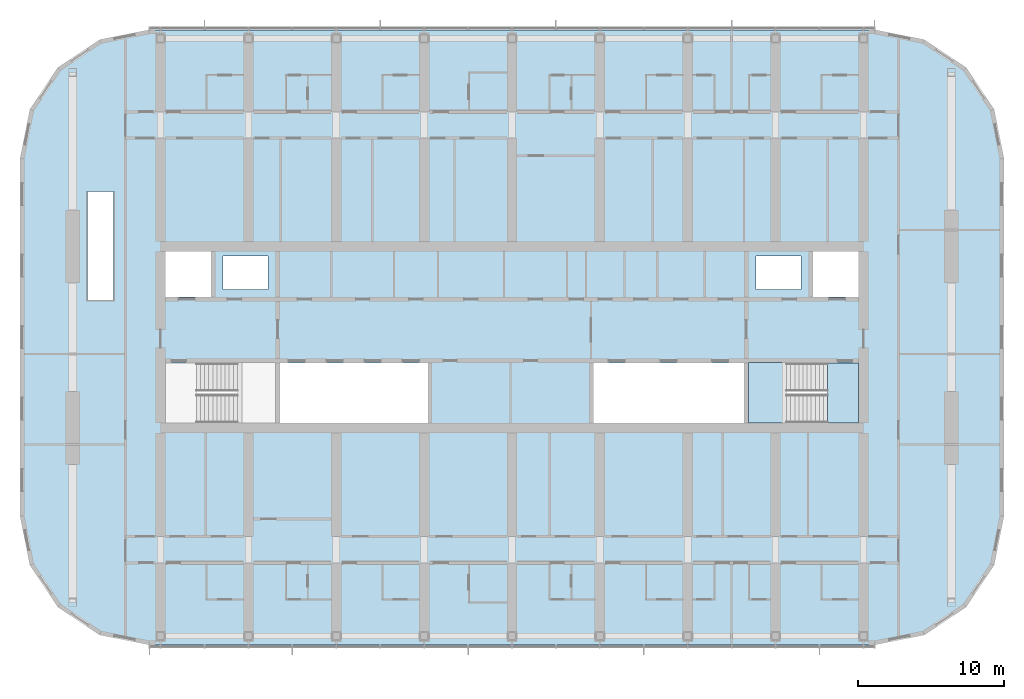
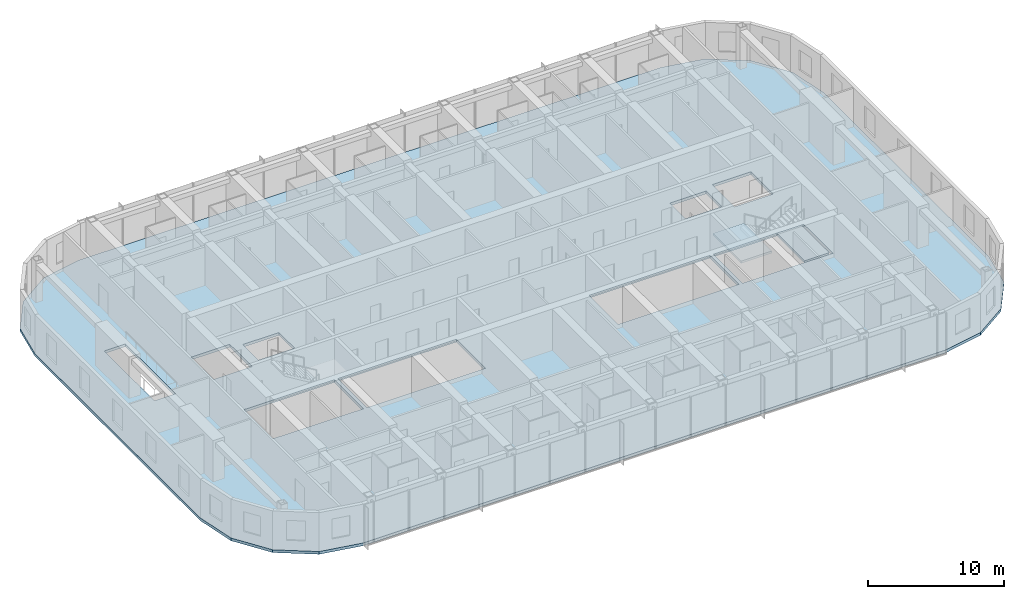
# One storey, part 8 of 23: 3 slabs, 1 element without a shape of its own.
"""IFC4 building model written with IfcOpenShell, lengths in metres."""

from ifc_helpers import new_model, si_unit, direction, frame, origin, place, context, subcontext, project, spatial, polyline, outline, extrude, material, layer, layer_set, type_object, element, aggregate, save


model = new_model("IFC4")

# Units and contexts
model_context = context("Model", 3, precision=1e-05, world=origin(), true_north=direction((0.0, 1.0)))
body_context = subcontext(model_context, "Body", "Model", "MODEL_VIEW")
ifc_project = project(units=[si_unit("LENGTHUNIT", "METRE"), si_unit("AREAUNIT", "SQUARE_METRE"), si_unit("VOLUMEUNIT", "CUBIC_METRE"), si_unit("PLANEANGLEUNIT", "RADIAN"), si_unit("MASSUNIT", "GRAM", prefix="KILO")], contexts=[model_context])

# Site, building, storey
site_placement = place(None, origin())
site = spatial("IfcSite", under=ifc_project, at=site_placement, CompositionType="ELEMENT")
building_placement = place(site_placement, origin())
building = spatial("IfcBuilding", under=site, at=building_placement, Name="Orbita Commons", CompositionType="ELEMENT")
storey_placement = place(building_placement, frame((0.0, 0.0, 220.300048828125)))
storey = spatial("IfcBuildingStorey", under=building, at=storey_placement, Name="L54", CompositionType="ELEMENT", Elevation=220.300048828125)

# Slab
ifc_material_1 = material(Name="Concrete C40/50", Category="concrete")
ifc_layer_1 = layer(ifc_material_1, 0.25)
ifc_layer_set_1 = layer_set([ifc_layer_1], Name="Concrete C40/50")
slab_type_1 = type_object("IfcSlabType", Name="Floor slab 250", PredefinedType="FLOOR", material=ifc_layer_set_1)
slab_1_placement = place(storey_placement, frame((0.0, 0.0, -0.25)))
element("IfcSlab", 1, at=slab_1_placement, inside=storey, type_object=slab_type_1, Name="Floor slab L54", PredefinedType="FLOOR", context=body_context, shape_type="SweptSolid", body=[
    extrude(outline(polyline([(66.800048828125, 11.0), (70.167724609375, 11.669921875), (73.0224609375, 13.577392578125), (74.93017578125, 16.432373046875), (75.60009765625, 19.800048828125), (75.60009765625, 44.199951171875), (74.93017578125, 47.567626953125), (73.0224609375, 50.422607421875), (70.167724609375, 52.330078125), (66.800048828125, 53.0), (17.199951171875, 53.0), (13.832275390625, 52.330078125), (10.9775390625, 50.422607421875), (9.06982421875, 47.567626953125), (8.39990234375, 44.199951171875), (8.39990234375, 19.800048828125), (9.06982421875, 16.432373046875), (10.9775390625, 13.577392578125), (13.832275390625, 11.669921875), (17.199951171875, 11.0), (66.800048828125, 11.0)]), holes=[polyline([(18.14990234375, 25.949951171875), (25.85009765625, 25.949951171875), (25.85009765625, 30.25), (18.14990234375, 30.25), (18.14990234375, 25.949951171875)]), polyline([(58.14990234375, 25.949951171875), (65.85009765625, 25.949951171875), (65.85009765625, 30.25), (58.14990234375, 30.25), (58.14990234375, 25.949951171875)]), polyline([(18.14990234375, 34.75), (21.449951171875, 34.75), (21.449951171875, 38.050048828125), (18.14990234375, 38.050048828125), (18.14990234375, 34.75)]), polyline([(62.550048828125, 34.75), (65.85009765625, 34.75), (65.85009765625, 38.050048828125), (62.550048828125, 38.050048828125), (62.550048828125, 34.75)]), polyline([(22.25, 35.25), (25.35009765625, 35.25), (25.35009765625, 37.550048828125), (22.25, 37.550048828125), (22.25, 35.25)]), polyline([(58.64990234375, 35.25), (61.75, 35.25), (61.75, 37.550048828125), (58.64990234375, 37.550048828125), (58.64990234375, 35.25)]), polyline([(26.14990234375, 25.949951171875), (36.25, 25.949951171875), (36.25, 30.25), (26.14990234375, 30.25), (26.14990234375, 25.949951171875)]), polyline([(47.550048828125, 25.949951171875), (57.85009765625, 25.949951171875), (57.85009765625, 30.25), (47.550048828125, 30.25), (47.550048828125, 25.949951171875)]), polyline([(13.0, 34.550048828125), (14.800048828125, 34.550048828125), (14.800048828125, 41.949951171875), (13.0, 41.949951171875), (13.0, 34.550048828125)])]), origin(), (0.0, 0.0, 1.0), 0.25),
])

# Stair, slabs
ifc_material_2 = material(Name="Precast concrete C40/50", Category="concrete")
stair_type = type_object("IfcStairType", Name="Exit stair S2 2 flights 11 risers 170", PredefinedType="HALF_TURN_STAIR", material=ifc_material_2)
stair_placement = place(storey_placement, origin())
stair = element("IfcStair", 2, at=stair_placement, inside=storey, type_object=stair_type, Name="Exit stair S2 L54", PredefinedType="HALF_TURN_STAIR")
ifc_material_3 = material(Name="Concrete C40/50", Category="concrete")
ifc_layer_2 = layer(ifc_material_3, 0.199951171875)
ifc_layer_set_2 = layer_set([ifc_layer_2], Name="Concrete C40/50")
slab_type_2 = type_object("IfcSlabType", Name="Stair landing 200", PredefinedType="LANDING", material=ifc_layer_set_2)
slab_2_placement = place(storey_placement, frame((0.0, 0.0, -0.199951171875)))
slab_2 = element("IfcSlab", 3, at=slab_2_placement, type_object=slab_type_2, Name="S2 landing 1", PredefinedType="LANDING", context=body_context, shape_type="SweptSolid", body=[
    extrude(outline(polyline([(63.550048828125, 26.14990234375), (65.64990234375, 26.14990234375), (65.64990234375, 30.25), (63.550048828125, 30.25), (63.550048828125, 26.14990234375)])), origin(), (0.0, 0.0, 1.0), 0.199951171875),
])
slab_3_placement = place(storey_placement, frame((0.0, 0.0, 1.675048828125)))
slab_3 = element("IfcSlab", 4, at=slab_3_placement, type_object=slab_type_2, Name="S2 landing 2", PredefinedType="LANDING", context=body_context, shape_type="SweptSolid", body=[
    extrude(outline(polyline([(58.135009765625, 26.135009765625), (60.75, 26.135009765625), (60.75, 30.264892578125), (58.135009765625, 30.264892578125), (58.135009765625, 26.135009765625)])), origin(), (0.0, 0.0, 1.0), 0.199951171875),
])
aggregate(stair, [slab_2, slab_3])

save(model, "model.ifc")
